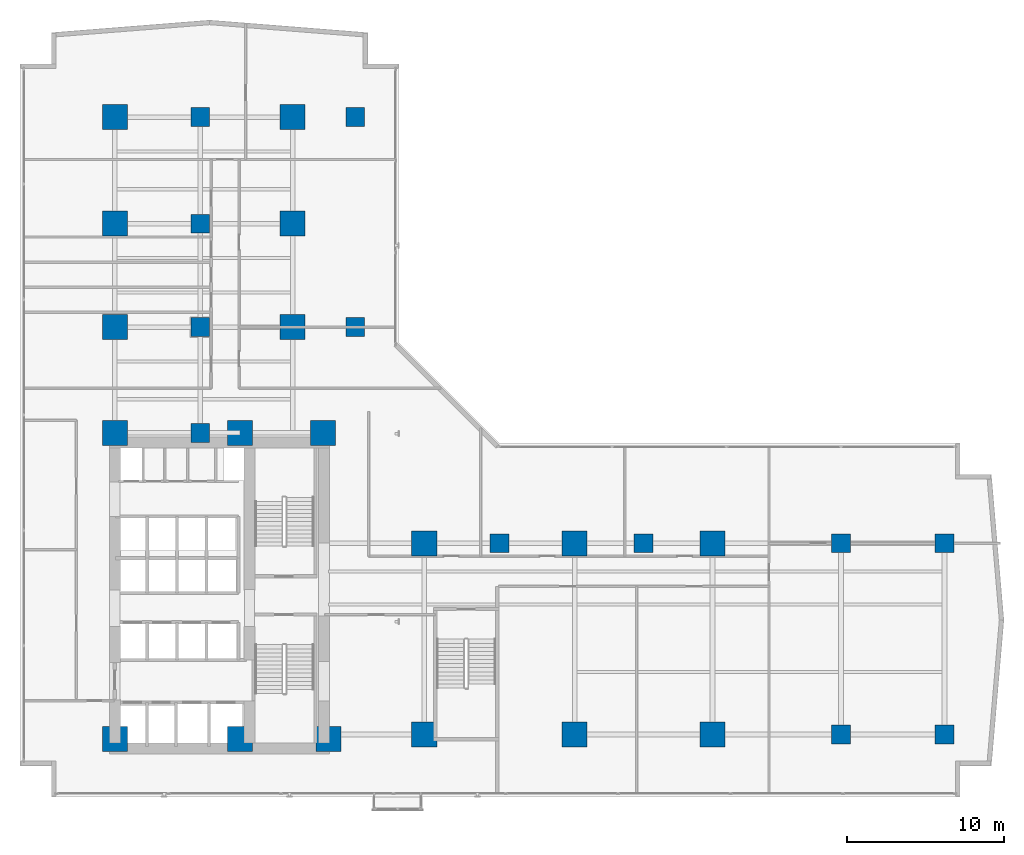
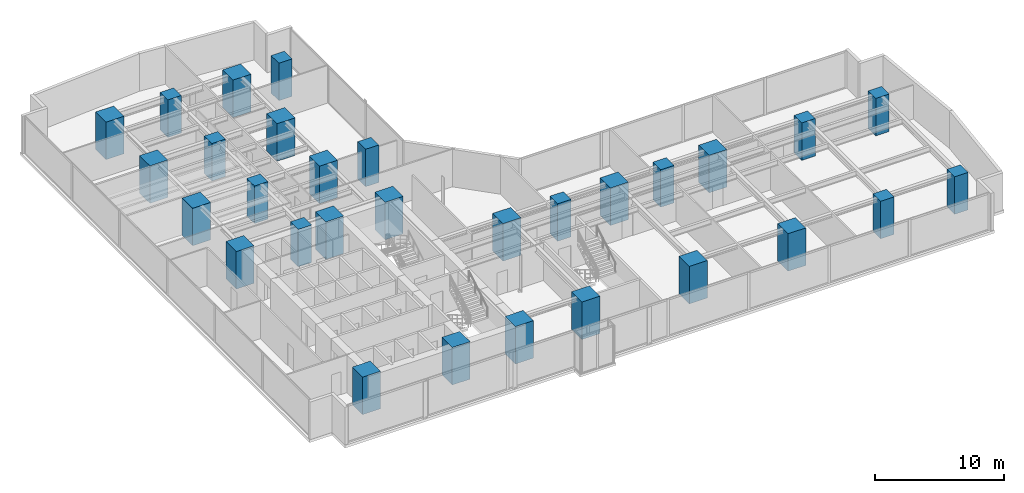
# One storey, part 1 of 26: 30 columns.
"""IFC4 building model written with IfcOpenShell, lengths in metres."""

from ifc_helpers import new_model, si_unit, direction, frame, origin, origin_2d, place, context, subcontext, project, spatial, rectangle, extrude, material, material_profile, profile_set, type_object, element, save


model = new_model("IFC4")

# Units and contexts
model_context = context("Model", 3, precision=1e-05, world=origin(), true_north=direction((0.0, 1.0)))
body_context = subcontext(model_context, "Body", "Model", "MODEL_VIEW")
ifc_project = project(units=[si_unit("LENGTHUNIT", "METRE"), si_unit("AREAUNIT", "SQUARE_METRE"), si_unit("VOLUMEUNIT", "CUBIC_METRE"), si_unit("PLANEANGLEUNIT", "RADIAN"), si_unit("MASSUNIT", "GRAM", prefix="KILO")], contexts=[model_context])

# Site, building, storey
site_placement = place(None, origin())
site = spatial("IfcSite", under=ifc_project, at=site_placement, CompositionType="ELEMENT")
building_placement = place(site_placement, origin())
building = spatial("IfcBuilding", under=site, at=building_placement, Name="Kolvaren Waterfront Exchange", CompositionType="ELEMENT")
storey_placement = place(building_placement, frame((0.0, 0.0, 44.800048828125)))
storey = spatial("IfcBuildingStorey", under=building, at=storey_placement, Name="L11", CompositionType="ELEMENT", Elevation=44.800048828125)

# Columns
ifc_material = material(Name="Concrete C70/85", Category="concrete")
ifc_material_profile_1 = material_profile(ifc_material, rectangle(XDim=1.199951171875, YDim=1.199951171875, at=origin_2d()), Name="RC-COL-1200x1200")
ifc_profile_set_1 = profile_set([ifc_material_profile_1], Name="Concrete C70/85")
column_type_1 = type_object("IfcColumnType", Name="STR-COL-1200-C70", PredefinedType="COLUMN", material=ifc_profile_set_1)
for number, where, z_axis, x_axis, name in (
    (1, (53.800048828125, 5.199951171875, 0.0), (0.0, 0.0, 1.0), (1.0, 0.0, 0.0), "L11 column ZC01"),
    (2, (53.800048828125, 17.39990234375, 0.0), (0.0, 0.0, 1.0), (1.0, 0.0, 0.0), "L11 column ZC02"),
    (3, (60.39990234375, 5.199951171875, 0.0), (0.0, 0.0, 1.0), (1.0, 0.0, 0.0), "L11 column ZC03"),
    (4, (60.39990234375, 17.39990234375, 0.0), (0.0, 0.0, 1.0), (1.0, 0.0, 0.0), "L11 column ZC04"),
    (5, (22.800048828125, 31.199951171875, 0.0), (0.0, 0.0, 1.0), (1.0, 0.0, 0.0), "L11 column ZC05"),
    (6, (22.800048828125, 44.60009765625, 0.0), (0.0, 0.0, 1.0), (1.0, 0.0, 0.0), "L11 column ZC06"),
    (7, (12.89990234375, 24.449951171875, 0.0), (0.0, 0.0, 1.0), (1.0, 0.0, 0.0), "L11 column TC01"),
    (8, (12.89990234375, 31.199951171875, 0.0), (0.0, 0.0, 1.0), (1.0, 0.0, 0.0), "L11 column TC02"),
    (9, (12.89990234375, 37.800048828125, 0.0), (0.0, 0.0, 1.0), (1.0, 0.0, 0.0), "L11 column TC03"),
    (10, (12.89990234375, 44.60009765625, 0.0), (0.0, 0.0, 1.0), (1.0, 0.0, 0.0), "L11 column TC04"),
    (11, (32.0, 17.39990234375, 0.0), (0.0, 0.0, 1.0), (1.0, 0.0, 0.0), "L11 column TC05"),
    (12, (41.199951171875, 17.39990234375, 0.0), (0.0, 0.0, 1.0), (1.0, 0.0, 0.0), "L11 column TC06"),
):
    element("IfcColumn", number, at=place(storey_placement, frame(where, z_axis=z_axis, x_axis=x_axis)), inside=storey, type_object=column_type_1, Name=name, PredefinedType="COLUMN", context=body_context, shape_type="SweptSolid", body=[
        extrude(rectangle(XDim=1.199951171875, YDim=1.199951171875, at=origin_2d()), origin(), (0.0, 0.0, 1.0), 3.5400390625),
    ])
ifc_material_profile_2 = material_profile(ifc_material, rectangle(XDim=1.60009765625, YDim=1.60009765625, at=origin_2d()), Name="RC-COL-1600x1600")
ifc_profile_set_2 = profile_set([ifc_material_profile_2], Name="Concrete C70/85")
column_type_2 = type_object("IfcColumnType", Name="STR-COL-1600-C70", PredefinedType="COLUMN", material=ifc_profile_set_2)
for number, where, z_axis, x_axis, name in (
    (13, (7.449951171875, 4.89990234375, 0.0), (0.0, 0.0, 1.0), (1.0, 0.0, 0.0), "L11 column MC01"),
    (14, (15.449951171875, 4.89990234375, 0.0), (0.0, 0.0, 1.0), (1.0, 0.0, 0.0), "L11 column MC02"),
    (15, (21.10009765625, 4.89990234375, 0.0), (0.0, 0.0, 1.0), (1.0, 0.0, 0.0), "L11 column MC03"),
    (16, (7.449951171875, 24.449951171875, 0.0), (0.0, 0.0, 1.0), (1.0, 0.0, 0.0), "L11 column MC04"),
    (17, (15.449951171875, 24.449951171875, 0.0), (0.0, 0.0, 1.0), (1.0, 0.0, 0.0), "L11 column MC05"),
    (18, (20.75, 24.449951171875, 0.0), (0.0, 0.0, 1.0), (1.0, 0.0, 0.0), "L11 column MC06"),
    (19, (7.449951171875, 31.199951171875, 0.0), (0.0, 0.0, 1.0), (1.0, 0.0, 0.0), "L11 column NC01"),
    (20, (7.449951171875, 37.800048828125, 0.0), (0.0, 0.0, 1.0), (1.0, 0.0, 0.0), "L11 column NC02"),
    (21, (7.449951171875, 44.60009765625, 0.0), (0.0, 0.0, 1.0), (1.0, 0.0, 0.0), "L11 column NC03"),
    (22, (18.800048828125, 31.199951171875, 0.0), (0.0, 0.0, 1.0), (1.0, 0.0, 0.0), "L11 column NC04"),
    (23, (18.800048828125, 37.800048828125, 0.0), (0.0, 0.0, 1.0), (1.0, 0.0, 0.0), "L11 column NC05"),
    (24, (18.800048828125, 44.60009765625, 0.0), (0.0, 0.0, 1.0), (1.0, 0.0, 0.0), "L11 column NC06"),
    (25, (27.199951171875, 5.199951171875, 0.0), (0.0, 0.0, 1.0), (1.0, 0.0, 0.0), "L11 column EC01"),
    (26, (36.800048828125, 5.199951171875, 0.0), (0.0, 0.0, 1.0), (1.0, 0.0, 0.0), "L11 column EC02"),
    (27, (45.60009765625, 5.199951171875, 0.0), (0.0, 0.0, 1.0), (1.0, 0.0, 0.0), "L11 column EC03"),
    (28, (27.199951171875, 17.39990234375, 0.0), (0.0, 0.0, 1.0), (1.0, 0.0, 0.0), "L11 column EC04"),
    (29, (36.800048828125, 17.39990234375, 0.0), (0.0, 0.0, 1.0), (1.0, 0.0, 0.0), "L11 column EC05"),
    (30, (45.60009765625, 17.39990234375, 0.0), (0.0, 0.0, 1.0), (1.0, 0.0, 0.0), "L11 column EC06"),
):
    element("IfcColumn", number, at=place(storey_placement, frame(where, z_axis=z_axis, x_axis=x_axis)), inside=storey, type_object=column_type_2, Name=name, PredefinedType="COLUMN", context=body_context, shape_type="SweptSolid", body=[
        extrude(rectangle(XDim=1.60009765625, YDim=1.60009765625, at=origin_2d()), origin(), (0.0, 0.0, 1.0), 3.5400390625),
    ])

save(model, "model.ifc")
